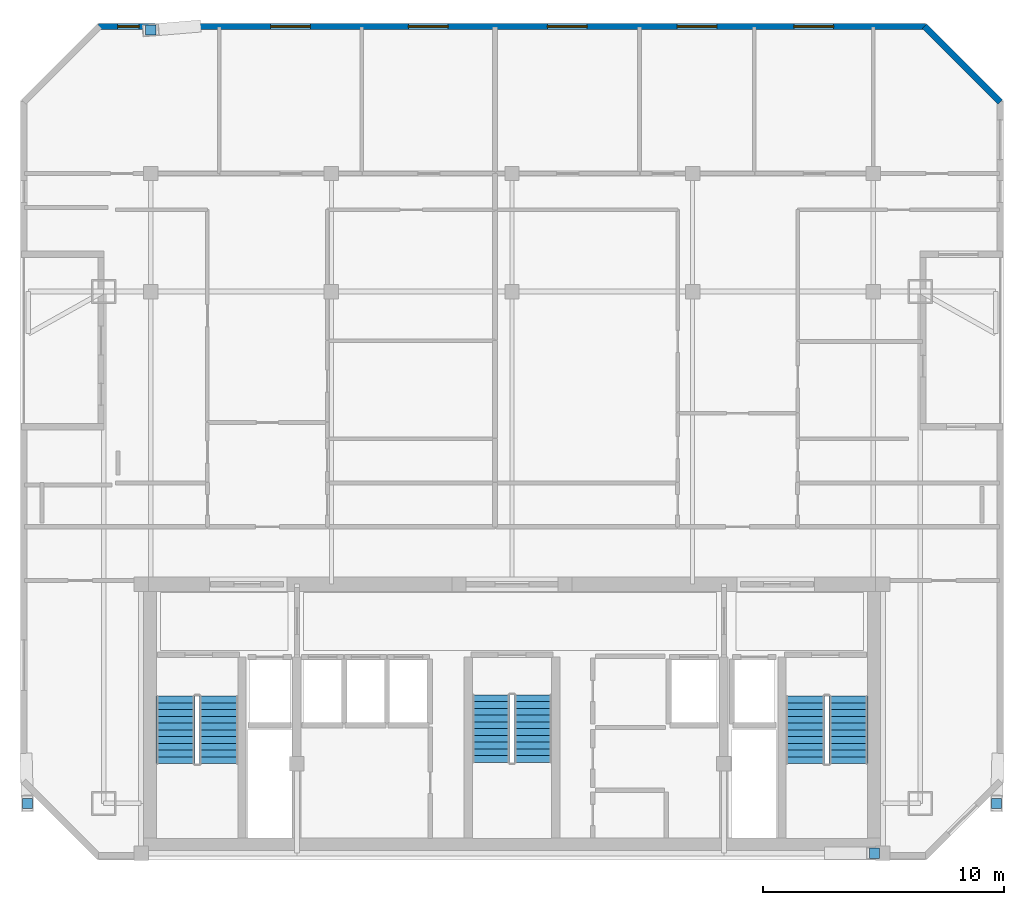
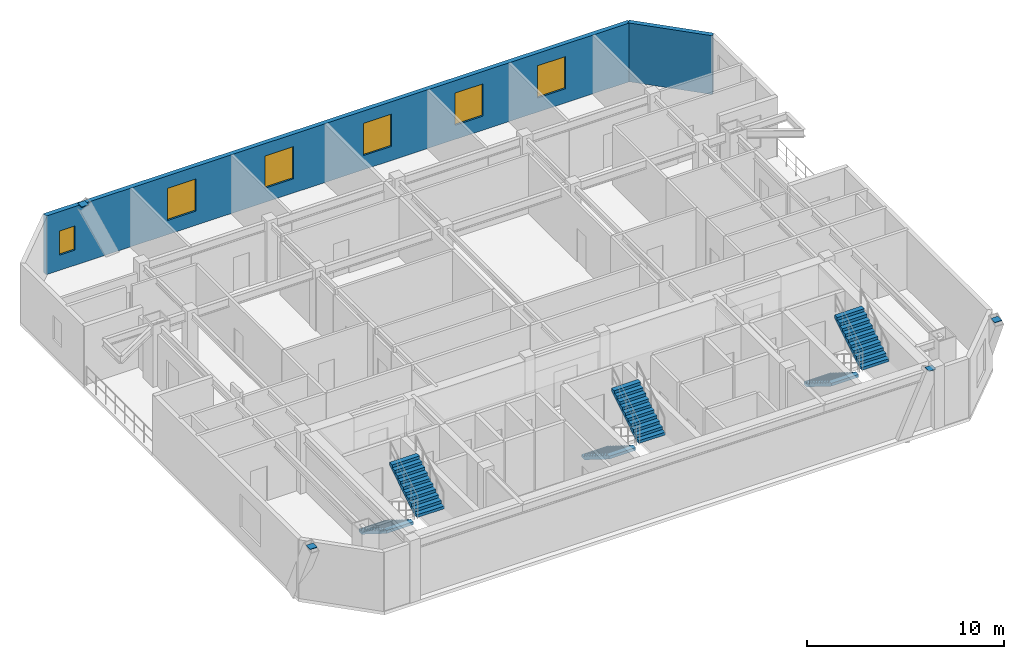
# One storey, part 6 of 7: 6 stair flights, 6 windows, 4 discrete accessories, 2 walls, 6 openings, 3 elements without a shape of their own.
"""IFC4 building model written with IfcOpenShell, lengths in metres."""

from ifc_helpers import new_model, si_unit, direction, frame, frame_2d, origin, origin_2d, place, context, subcontext, project, spatial, polyline, rectangle, outline, extrude, material, layer, layer_set, type_object, element, fill, aggregate, save


model = new_model("IFC4")

# Units and contexts
model_context = context("Model", 3, precision=1e-05, world=origin(), true_north=direction((0.0, 1.0)))
body_context = subcontext(model_context, "Body", "Model", "MODEL_VIEW")
ifc_project = project(units=[si_unit("LENGTHUNIT", "METRE"), si_unit("AREAUNIT", "SQUARE_METRE"), si_unit("VOLUMEUNIT", "CUBIC_METRE"), si_unit("PLANEANGLEUNIT", "RADIAN"), si_unit("MASSUNIT", "GRAM", prefix="KILO")], contexts=[model_context])

# Site, building, storey
site_placement = place(None, origin())
site = spatial("IfcSite", under=ifc_project, at=site_placement, CompositionType="ELEMENT")
building_placement = place(site_placement, origin())
building = spatial("IfcBuilding", under=site, at=building_placement, Name="Ventersveld Concourse Tower", CompositionType="ELEMENT")
storey_placement = place(building_placement, frame((0.0, 0.0, 281.050048828125)))
storey = spatial("IfcBuildingStorey", under=building, at=storey_placement, Name="L69", CompositionType="ELEMENT", Elevation=281.050048828125)

# Wall
ifc_material_1 = material(Name="Precast concrete C45/55", Category="concrete")
ifc_layer = layer(ifc_material_1, 0.260009765625)
ifc_layer_set = layer_set([ifc_layer], Name="Precast concrete C45/55")
wall_type = type_object("IfcWallType", Name="WL-PREC-260", PredefinedType="SOLIDWALL", material=ifc_layer_set)
wall_1_placement = place(storey_placement, frame((49.026611328125, 31.468994140625, 0.0), z_axis=(0.0, 0.0, 1.0), x_axis=(-0.707106781187, 0.707106781187, 0.0)))
element("IfcWall", 1, at=wall_1_placement, inside=storey, type_object=wall_type, Name="L69 Highveld Precast Facade Wall E08", PredefinedType="SOLIDWALL", context=body_context, shape_type="SweptSolid", body=[
    extrude(rectangle(XDim=4.4453125, YDim=0.260009765625, at=frame_2d((2.22265625, 0.0))), origin(), (0.0, 0.0, 1.0), 3.64990234375),
])

# Wall, openings, windows
wall_2_placement = place(storey_placement, frame((45.906982421875, 34.6025390625, 0.0), z_axis=(0.0, 0.0, 1.0), x_axis=(-1.0, 0.0, 0.0)))
wall_2 = element("IfcWall", 2, at=wall_2_placement, inside=storey, type_object=wall_type, Name="L69 Highveld Precast Facade Wall E09", PredefinedType="SOLIDWALL", context=body_context, shape_type="SweptSolid", body=[
    extrude(rectangle(XDim=34.31396484375, YDim=0.260009765625, at=frame_2d((17.156982421875, 0.0))), origin(), (0.0, 0.0, 1.0), 3.64990234375),
])
opening_1_placement = place(wall_2_placement, frame((32.6337890625, 0.0, 0.949951171875)))
opening_1 = element("IfcOpeningElement", 3, at=opening_1_placement, cuts=wall_2, Name="Opening W4", PredefinedType="OPENING", context=body_context, shape_type="SweptSolid", body=[
    extrude(rectangle(XDim=0.89990234375, YDim=1.5, at=frame_2d((0.449951171875, 0.75))), frame((0.0, 0.14013671875, 0.0), z_axis=(0.0, -1.0, 0.0), x_axis=(1.0, 0.0, 0.0)), (0.0, 0.0, 1.0), 0.280029296875),
])
opening_2_placement = place(wall_2_placement, frame((25.53125, 0.0, 0.8798828125)))
opening_2 = element("IfcOpeningElement", 4, at=opening_2_placement, cuts=wall_2, Name="Opening W6", PredefinedType="OPENING", context=body_context, shape_type="SweptSolid", body=[
    extrude(rectangle(XDim=1.64990234375, YDim=2.0, at=frame_2d((0.824951171875, 1.0))), frame((0.0, 0.14013671875, 0.0), z_axis=(0.0, -1.0, 0.0), x_axis=(1.0, 0.0, 0.0)), (0.0, 0.0, 1.0), 0.280029296875),
])
opening_3_placement = place(wall_2_placement, frame((19.80419921875, 0.0, 0.8798828125)))
opening_3 = element("IfcOpeningElement", 5, at=opening_3_placement, cuts=wall_2, Name="Opening W6", PredefinedType="OPENING", context=body_context, shape_type="SweptSolid", body=[
    extrude(rectangle(XDim=1.64990234375, YDim=2.0, at=frame_2d((0.824951171875, 1.0))), frame((0.0, 0.14013671875, 0.0), z_axis=(0.0, -1.0, 0.0), x_axis=(1.0, 0.0, 0.0)), (0.0, 0.0, 1.0), 0.280029296875),
])
opening_4_placement = place(wall_2_placement, frame((14.038330078125, 0.0, 0.8798828125)))
opening_4 = element("IfcOpeningElement", 6, at=opening_4_placement, cuts=wall_2, Name="Opening W6", PredefinedType="OPENING", context=body_context, shape_type="SweptSolid", body=[
    extrude(rectangle(XDim=1.64990234375, YDim=2.0, at=frame_2d((0.824951171875, 1.0))), frame((0.0, 0.14013671875, 0.0), z_axis=(0.0, -1.0, 0.0), x_axis=(1.0, 0.0, 0.0)), (0.0, 0.0, 1.0), 0.280029296875),
])
opening_5_placement = place(wall_2_placement, frame((8.654296875, 0.0, 0.8798828125)))
opening_5 = element("IfcOpeningElement", 7, at=opening_5_placement, cuts=wall_2, Name="Opening W6", PredefinedType="OPENING", context=body_context, shape_type="SweptSolid", body=[
    extrude(rectangle(XDim=1.64990234375, YDim=2.0, at=frame_2d((0.824951171875, 1.0))), frame((0.0, 0.14013671875, 0.0), z_axis=(0.0, -1.0, 0.0), x_axis=(1.0, 0.0, 0.0)), (0.0, 0.0, 1.0), 0.280029296875),
])
opening_6_placement = place(wall_2_placement, frame((3.80029296875, 0.0, 0.8798828125)))
opening_6 = element("IfcOpeningElement", 8, at=opening_6_placement, cuts=wall_2, Name="Opening W6", PredefinedType="OPENING", context=body_context, shape_type="SweptSolid", body=[
    extrude(rectangle(XDim=1.64990234375, YDim=2.0, at=frame_2d((0.824951171875, 1.0))), frame((0.0, 0.14013671875, 0.0), z_axis=(0.0, -1.0, 0.0), x_axis=(1.0, 0.0, 0.0)), (0.0, 0.0, 1.0), 0.280029296875),
])
ifc_material_2 = material(Name="Tempered acoustic Low-E IGU", Category="glass")
window_type_1 = type_object("IfcWindowType", Name="WIN-090x150", PartitioningType="SINGLE_PANEL", PredefinedType="WINDOW", material=ifc_material_2)
window_1_placement = place(opening_1_placement, origin())
window_1 = element("IfcWindow", 9, at=window_1_placement, inside=storey, type_object=window_type_1, Name="L69 Punched Low-E Window W-0985", OverallHeight=1.5, OverallWidth=0.89990234375, PartitioningType="SINGLE_PANEL", PredefinedType="WINDOW", context=body_context, shape_type="SweptSolid", body=[
    extrude(rectangle(XDim=0.89990234375, YDim=1.5, at=frame_2d((0.449951171875, 0.75))), frame((0.0, 0.030029296875, 0.0), z_axis=(0.0, -1.0, 0.0), x_axis=(1.0, 0.0, 0.0)), (0.0, 0.0, 1.0), 0.06005859375),
])
fill(opening_1, window_1)
window_type_2 = type_object("IfcWindowType", Name="WIN-165x200", PartitioningType="SINGLE_PANEL", PredefinedType="WINDOW", material=ifc_material_2)
window_2_placement = place(opening_2_placement, origin())
window_2 = element("IfcWindow", 10, at=window_2_placement, inside=storey, type_object=window_type_2, Name="L69 Punched Low-E Window W-0986", OverallHeight=2.0, OverallWidth=1.64990234375, PartitioningType="SINGLE_PANEL", PredefinedType="WINDOW", context=body_context, shape_type="SweptSolid", body=[
    extrude(rectangle(XDim=1.64990234375, YDim=2.0, at=frame_2d((0.824951171875, 1.0))), frame((0.0, 0.030029296875, 0.0), z_axis=(0.0, -1.0, 0.0), x_axis=(1.0, 0.0, 0.0)), (0.0, 0.0, 1.0), 0.06005859375),
])
fill(opening_2, window_2)
window_3_placement = place(opening_3_placement, origin())
window_3 = element("IfcWindow", 11, at=window_3_placement, inside=storey, type_object=window_type_2, Name="L69 Punched Low-E Window W-0987", OverallHeight=2.0, OverallWidth=1.64990234375, PartitioningType="SINGLE_PANEL", PredefinedType="WINDOW", context=body_context, shape_type="SweptSolid", body=[
    extrude(rectangle(XDim=1.64990234375, YDim=2.0, at=frame_2d((0.824951171875, 1.0))), frame((0.0, 0.030029296875, 0.0), z_axis=(0.0, -1.0, 0.0), x_axis=(1.0, 0.0, 0.0)), (0.0, 0.0, 1.0), 0.06005859375),
])
fill(opening_3, window_3)
window_4_placement = place(opening_4_placement, origin())
window_4 = element("IfcWindow", 12, at=window_4_placement, inside=storey, type_object=window_type_2, Name="L69 Punched Low-E Window W-0991", OverallHeight=2.0, OverallWidth=1.64990234375, PartitioningType="SINGLE_PANEL", PredefinedType="WINDOW", context=body_context, shape_type="SweptSolid", body=[
    extrude(rectangle(XDim=1.64990234375, YDim=2.0, at=frame_2d((0.824951171875, 1.0))), frame((0.0, 0.030029296875, 0.0), z_axis=(0.0, -1.0, 0.0), x_axis=(1.0, 0.0, 0.0)), (0.0, 0.0, 1.0), 0.06005859375),
])
fill(opening_4, window_4)
window_5_placement = place(opening_5_placement, origin())
window_5 = element("IfcWindow", 13, at=window_5_placement, inside=storey, type_object=window_type_2, Name="L69 Punched Low-E Window W-0992", OverallHeight=2.0, OverallWidth=1.64990234375, PartitioningType="SINGLE_PANEL", PredefinedType="WINDOW", context=body_context, shape_type="SweptSolid", body=[
    extrude(rectangle(XDim=1.64990234375, YDim=2.0, at=frame_2d((0.824951171875, 1.0))), frame((0.0, 0.030029296875, 0.0), z_axis=(0.0, -1.0, 0.0), x_axis=(1.0, 0.0, 0.0)), (0.0, 0.0, 1.0), 0.06005859375),
])
fill(opening_5, window_5)
window_6_placement = place(opening_6_placement, origin())
window_6 = element("IfcWindow", 14, at=window_6_placement, inside=storey, type_object=window_type_2, Name="L69 Punched Low-E Window W-0993", OverallHeight=2.0, OverallWidth=1.64990234375, PartitioningType="SINGLE_PANEL", PredefinedType="WINDOW", context=body_context, shape_type="SweptSolid", body=[
    extrude(rectangle(XDim=1.64990234375, YDim=2.0, at=frame_2d((0.824951171875, 1.0))), frame((0.0, 0.030029296875, 0.0), z_axis=(0.0, -1.0, 0.0), x_axis=(1.0, 0.0, 0.0)), (0.0, 0.0, 1.0), 0.06005859375),
])
fill(opening_6, window_6)

# Stair, stair flights
ifc_material_3 = material(Name="Concrete C50/60", Category="concrete")
stair_type_1 = type_object("IfcStairType", Name="ST-DOG-155", PredefinedType="HALF_TURN_STAIR", material=ifc_material_3)
stair_1_placement = place(storey_placement, origin())
stair_1 = element("IfcStair", 15, at=stair_1_placement, inside=storey, type_object=stair_type_1, Name="L69 Protected Central Core Escape Stair ST-03", PredefinedType="HALF_TURN_STAIR")
stair_flight_type_1 = type_object("IfcStairFlightType", Name="STF-RC-155", PredefinedType="STRAIGHT", material=ifc_material_3)
stair_flight_1_placement = place(storey_placement, frame((27.875, 6.85009765625, 0.0), z_axis=(0.0, 0.0, 1.0), x_axis=(0.0, -1.0, 0.0)))
stair_flight_1 = element("IfcStairFlight", 16, at=stair_flight_1_placement, type_object=stair_flight_type_1, Name="ST-03 flight 1", NumberOfRisers=11, NumberOfTreads=10, PredefinedType="STRAIGHT", RiserHeight=0.175, TreadLength=0.28, context=body_context, shape_type="SweptSolid", body=[
    extrude(outline(polyline([(0.0, 0.0), (0.0, 0.175048828125), (0.280029296875, 0.175048828125), (0.280029296875, 0.35009765625), (0.56005859375, 0.35009765625), (0.56005859375, 0.52490234375), (0.840087890625, 0.52490234375), (0.840087890625, 0.699951171875), (1.1201171875, 0.699951171875), (1.1201171875, 0.875), (1.39990234375, 0.875), (1.39990234375, 1.050048828125), (1.679931640625, 1.050048828125), (1.679931640625, 1.22509765625), (1.9599609375, 1.22509765625), (1.9599609375, 1.39990234375), (2.239990234375, 1.39990234375), (2.239990234375, 1.574951171875), (2.52001953125, 1.574951171875), (2.52001953125, 1.75), (2.800048828125, 1.75), (2.800048828125, 1.925048828125), (2.800048828125, 1.5732421875), (0.28271484375, 0.0), (0.0, 0.0)])), frame((0.0, 0.77490234375, 0.0), z_axis=(0.0, -1.0, 0.0), x_axis=(1.0, 0.0, 0.0)), (0.0, 0.0, 1.0), 1.550048828125),
])
stair_flight_2_placement = place(storey_placement, frame((29.625, 4.050048828125, 1.925048828125), z_axis=(0.0, 0.0, 1.0), x_axis=(0.0, 1.0, 0.0)))
stair_flight_2 = element("IfcStairFlight", 17, at=stair_flight_2_placement, type_object=stair_flight_type_1, Name="ST-03 flight 2", NumberOfRisers=11, NumberOfTreads=10, PredefinedType="STRAIGHT", RiserHeight=0.175, TreadLength=0.28, context=body_context, shape_type="SweptSolid", body=[
    extrude(outline(polyline([(0.0, 0.0), (0.0, 0.175048828125), (0.280029296875, 0.175048828125), (0.280029296875, 0.35009765625), (0.56005859375, 0.35009765625), (0.56005859375, 0.52490234375), (0.840087890625, 0.52490234375), (0.840087890625, 0.699951171875), (1.1201171875, 0.699951171875), (1.1201171875, 0.875), (1.39990234375, 0.875), (1.39990234375, 1.050048828125), (1.679931640625, 1.050048828125), (1.679931640625, 1.22509765625), (1.9599609375, 1.22509765625), (1.9599609375, 1.39990234375), (2.239990234375, 1.39990234375), (2.239990234375, 1.574951171875), (2.52001953125, 1.574951171875), (2.52001953125, 1.75), (2.800048828125, 1.75), (2.800048828125, 1.925048828125), (2.800048828125, 1.5732421875), (0.28271484375, 0.0), (0.0, 0.0)])), frame((0.0, 0.77490234375, 0.0), z_axis=(0.0, -1.0, 0.0), x_axis=(1.0, 0.0, 0.0)), (0.0, 0.0, 1.0), 1.550048828125),
])
aggregate(stair_1, [stair_flight_1, stair_flight_2])

stair_type_2 = type_object("IfcStairType", Name="ST-DOG-160", PredefinedType="HALF_TURN_STAIR", material=ifc_material_3)
stair_2_placement = place(storey_placement, origin())
stair_2 = element("IfcStair", 18, at=stair_2_placement, inside=storey, type_object=stair_type_2, Name="L69 Protected Tower Escape Stair ST-01", PredefinedType="HALF_TURN_STAIR")
stair_flight_type_2 = type_object("IfcStairFlightType", Name="STF-RC-160", PredefinedType="STRAIGHT", material=ifc_material_3)
stair_flight_3_placement = place(storey_placement, frame((14.780029296875, 6.800048828125, 0.0), z_axis=(0.0, 0.0, 1.0), x_axis=(0.0, -1.0, 0.0)))
stair_flight_3 = element("IfcStairFlight", 19, at=stair_flight_3_placement, type_object=stair_flight_type_2, Name="ST-01 flight 1", NumberOfRisers=11, NumberOfTreads=10, PredefinedType="STRAIGHT", RiserHeight=0.175, TreadLength=0.28, context=body_context, shape_type="SweptSolid", body=[
    extrude(outline(polyline([(0.0, 0.0), (0.0, 0.175048828125), (0.280029296875, 0.175048828125), (0.280029296875, 0.35009765625), (0.56005859375, 0.35009765625), (0.56005859375, 0.52490234375), (0.840087890625, 0.52490234375), (0.840087890625, 0.699951171875), (1.1201171875, 0.699951171875), (1.1201171875, 0.875), (1.39990234375, 0.875), (1.39990234375, 1.050048828125), (1.679931640625, 1.050048828125), (1.679931640625, 1.22509765625), (1.9599609375, 1.22509765625), (1.9599609375, 1.39990234375), (2.239990234375, 1.39990234375), (2.239990234375, 1.574951171875), (2.52001953125, 1.574951171875), (2.52001953125, 1.75), (2.800048828125, 1.75), (2.800048828125, 1.925048828125), (2.800048828125, 1.5732421875), (0.28271484375, 0.0), (0.0, 0.0)])), frame((0.0, 0.800048828125, 0.0), z_axis=(0.0, -1.0, 0.0), x_axis=(1.0, 0.0, 0.0)), (0.0, 0.0, 1.0), 1.60009765625),
])
stair_flight_4_placement = place(storey_placement, frame((16.580078125, 4.0, 1.925048828125), z_axis=(0.0, 0.0, 1.0), x_axis=(0.0, 1.0, 0.0)))
stair_flight_4 = element("IfcStairFlight", 20, at=stair_flight_4_placement, type_object=stair_flight_type_2, Name="ST-01 flight 2", NumberOfRisers=11, NumberOfTreads=10, PredefinedType="STRAIGHT", RiserHeight=0.175, TreadLength=0.28, context=body_context, shape_type="SweptSolid", body=[
    extrude(outline(polyline([(0.0, 0.0), (0.0, 0.175048828125), (0.280029296875, 0.175048828125), (0.280029296875, 0.35009765625), (0.56005859375, 0.35009765625), (0.56005859375, 0.52490234375), (0.840087890625, 0.52490234375), (0.840087890625, 0.699951171875), (1.1201171875, 0.699951171875), (1.1201171875, 0.875), (1.39990234375, 0.875), (1.39990234375, 1.050048828125), (1.679931640625, 1.050048828125), (1.679931640625, 1.22509765625), (1.9599609375, 1.22509765625), (1.9599609375, 1.39990234375), (2.239990234375, 1.39990234375), (2.239990234375, 1.574951171875), (2.52001953125, 1.574951171875), (2.52001953125, 1.75), (2.800048828125, 1.75), (2.800048828125, 1.925048828125), (2.800048828125, 1.5732421875), (0.28271484375, 0.0), (0.0, 0.0)])), frame((0.0, 0.800048828125, 0.0), z_axis=(0.0, -1.0, 0.0), x_axis=(1.0, 0.0, 0.0)), (0.0, 0.0, 1.0), 1.60009765625),
])
aggregate(stair_2, [stair_flight_3, stair_flight_4])

stair_3_placement = place(storey_placement, origin())
stair_3 = element("IfcStair", 21, at=stair_3_placement, inside=storey, type_object=stair_type_2, Name="L69 Protected Tower Escape Stair ST-02", PredefinedType="HALF_TURN_STAIR")
stair_flight_5_placement = place(storey_placement, frame((40.919921875, 6.800048828125, 0.0), z_axis=(0.0, 0.0, 1.0), x_axis=(0.0, -1.0, 0.0)))
stair_flight_5 = element("IfcStairFlight", 22, at=stair_flight_5_placement, type_object=stair_flight_type_2, Name="ST-02 flight 1", NumberOfRisers=11, NumberOfTreads=10, PredefinedType="STRAIGHT", RiserHeight=0.175, TreadLength=0.28, context=body_context, shape_type="SweptSolid", body=[
    extrude(outline(polyline([(0.0, 0.0), (0.0, 0.175048828125), (0.280029296875, 0.175048828125), (0.280029296875, 0.35009765625), (0.56005859375, 0.35009765625), (0.56005859375, 0.52490234375), (0.840087890625, 0.52490234375), (0.840087890625, 0.699951171875), (1.1201171875, 0.699951171875), (1.1201171875, 0.875), (1.39990234375, 0.875), (1.39990234375, 1.050048828125), (1.679931640625, 1.050048828125), (1.679931640625, 1.22509765625), (1.9599609375, 1.22509765625), (1.9599609375, 1.39990234375), (2.239990234375, 1.39990234375), (2.239990234375, 1.574951171875), (2.52001953125, 1.574951171875), (2.52001953125, 1.75), (2.800048828125, 1.75), (2.800048828125, 1.925048828125), (2.800048828125, 1.5732421875), (0.28271484375, 0.0), (0.0, 0.0)])), frame((0.0, 0.800048828125, 0.0), z_axis=(0.0, -1.0, 0.0), x_axis=(1.0, 0.0, 0.0)), (0.0, 0.0, 1.0), 1.60009765625),
])
stair_flight_6_placement = place(storey_placement, frame((42.719970703125, 4.0, 1.925048828125), z_axis=(0.0, 0.0, 1.0), x_axis=(0.0, 1.0, 0.0)))
stair_flight_6 = element("IfcStairFlight", 23, at=stair_flight_6_placement, type_object=stair_flight_type_2, Name="ST-02 flight 2", NumberOfRisers=11, NumberOfTreads=10, PredefinedType="STRAIGHT", RiserHeight=0.175, TreadLength=0.28, context=body_context, shape_type="SweptSolid", body=[
    extrude(outline(polyline([(0.0, 0.0), (0.0, 0.175048828125), (0.280029296875, 0.175048828125), (0.280029296875, 0.35009765625), (0.56005859375, 0.35009765625), (0.56005859375, 0.52490234375), (0.840087890625, 0.52490234375), (0.840087890625, 0.699951171875), (1.1201171875, 0.699951171875), (1.1201171875, 0.875), (1.39990234375, 0.875), (1.39990234375, 1.050048828125), (1.679931640625, 1.050048828125), (1.679931640625, 1.22509765625), (1.9599609375, 1.22509765625), (1.9599609375, 1.39990234375), (2.239990234375, 1.39990234375), (2.239990234375, 1.574951171875), (2.52001953125, 1.574951171875), (2.52001953125, 1.75), (2.800048828125, 1.75), (2.800048828125, 1.925048828125), (2.800048828125, 1.5732421875), (0.28271484375, 0.0), (0.0, 0.0)])), frame((0.0, 0.800048828125, 0.0), z_axis=(0.0, -1.0, 0.0), x_axis=(1.0, 0.0, 0.0)), (0.0, 0.0, 1.0), 1.60009765625),
])
aggregate(stair_3, [stair_flight_5, stair_flight_6])

# Discrete accessories
ifc_material_4 = material(Name="Structural steel S355J2", Category="steel")
discrete_accessory_type = type_object("IfcDiscreteAccessoryType", Name="CONN-BRACE-ECP1", PredefinedType="BRACKET", material=ifc_material_4)
for number, where, z_axis, x_axis, name in (
    (24, (13.75, 34.452392578125, 3.6298828125), (0.0, 0.0, 1.0), (1.0, 0.0, 0.0), "L69 Steel Brace End Connection Plate ECP1-0455"),
    (25, (43.800048828125, 0.280029296875, 3.6298828125), (0.0, 0.0, 1.0), (1.0, 0.0, 0.0), "L69 Steel Brace End Connection Plate ECP1-0459"),
    (26, (8.633056640625, 2.35009765625, 3.6298828125), (0.0, 0.0, 1.0), (1.0, 0.0, 0.0), "L69 Steel Brace End Connection Plate ECP1-0463"),
    (27, (48.866943359375, 2.35009765625, 3.6298828125), (0.0, 0.0, 1.0), (1.0, 0.0, 0.0), "L69 Steel Brace End Connection Plate ECP1-0467"),
):
    element("IfcDiscreteAccessory", number, at=place(storey_placement, frame(where, z_axis=z_axis, x_axis=x_axis)), inside=storey, type_object=discrete_accessory_type, Name=name, PredefinedType="BRACKET", context=body_context, shape_type="SweptSolid", body=[
        extrude(rectangle(XDim=0.419921875, YDim=0.419921875, at=origin_2d()), origin(), (0.0, 0.0, 1.0), 0.0400390625),
    ])

save(model, "model.ifc")
